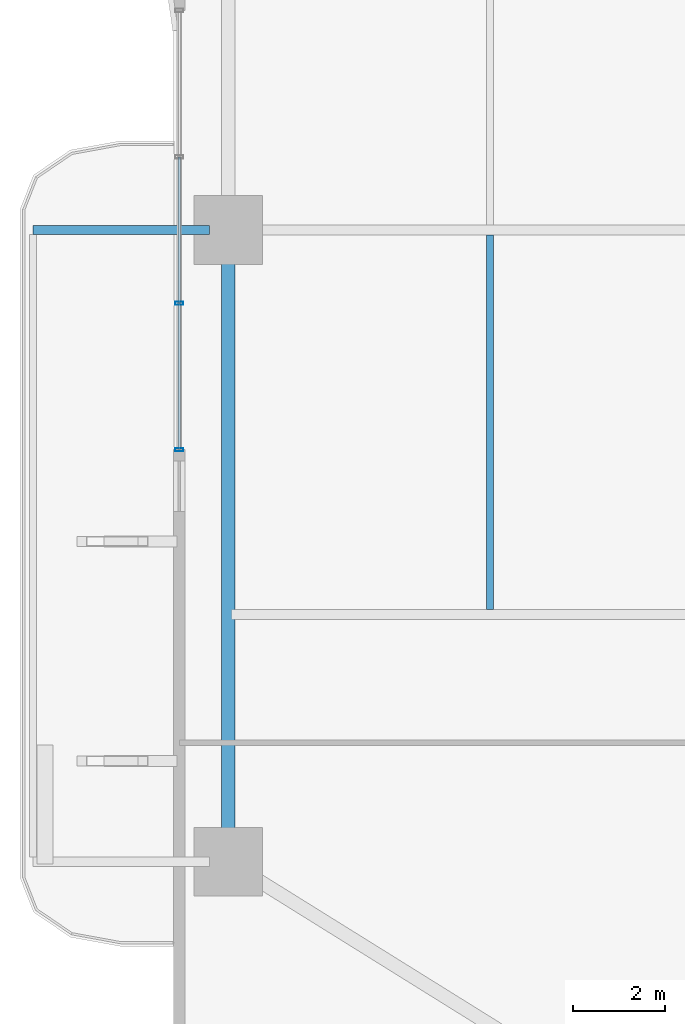
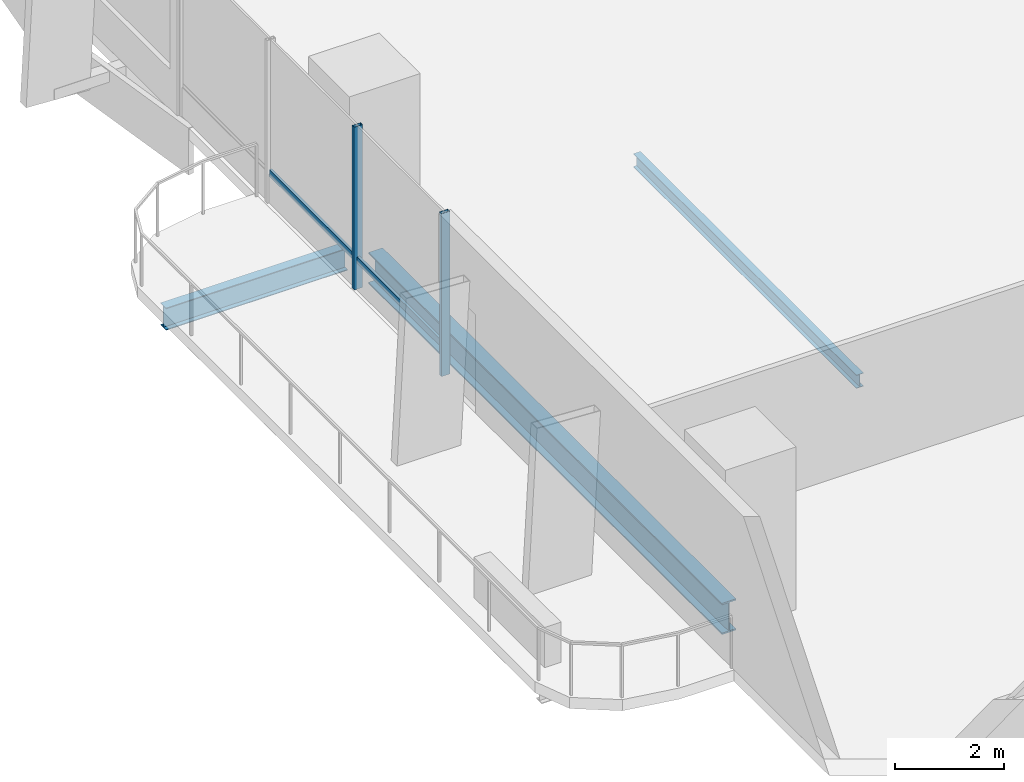
# One storey, part 4 of 24: 4 members, 3 beams, 1 element without a shape of its own.
"""IFC4 building model written with IfcOpenShell, lengths in metres."""

from ifc_helpers import new_model, si_unit, direction, frame, origin, origin_2d, place, context, subcontext, project, spatial, hollow_rectangle, i_section, extrude, material, layer, layer_set, material_profile, profile_set, type_object, element, aggregate, save


model = new_model("IFC4")

# Units and contexts
model_context = context("Model", 3, precision=1e-05, world=origin(), true_north=direction((0.0, 1.0)))
body_context = subcontext(model_context, "Body", "Model", "MODEL_VIEW")
ifc_project = project(units=[si_unit("LENGTHUNIT", "METRE"), si_unit("AREAUNIT", "SQUARE_METRE"), si_unit("VOLUMEUNIT", "CUBIC_METRE"), si_unit("PLANEANGLEUNIT", "RADIAN"), si_unit("MASSUNIT", "GRAM", prefix="KILO")], contexts=[model_context])

# Site, building, storey
site_placement = place(None, origin())
site = spatial("IfcSite", under=ifc_project, at=site_placement, CompositionType="ELEMENT")
building_placement = place(site_placement, origin())
building = spatial("IfcBuilding", under=site, at=building_placement, Name="Belovzor Exchange Tower", CompositionType="ELEMENT")
storey_placement = place(building_placement, frame((0.0, 0.0, 69.0)))
storey = spatial("IfcBuildingStorey", under=building, at=storey_placement, Name="L16", CompositionType="ELEMENT", Elevation=69.0)

# Beams
ifc_material_1 = material(Name="Steel S355", Category="steel")
ifc_material_profile_1 = material_profile(ifc_material_1, i_section(OverallWidth=0.199951171875, OverallDepth=0.5, WebThickness=0.01025390625, FlangeThickness=0.01611328125, at=origin_2d()))
ifc_profile_set_1 = profile_set([ifc_material_profile_1], Name="Steel S355")
beam_type_1 = type_object("IfcBeamType", Name="Planted Balcony Cantilever Beam IPE 500", PredefinedType="BEAM", material=ifc_profile_set_1)
beam_1_placement = place(storey_placement, frame((1.68798828125, 28.800048828125, -0.5), z_axis=(-1.0, 0.0, 0.0), x_axis=(0.0, -1.0, 0.0)))
element("IfcBeam", 1, at=beam_1_placement, inside=storey, type_object=beam_type_1, Name="BC-500 Planted Balcony Cantilever Beam IPE 500", PredefinedType="BEAM", context=body_context, shape_type="SweptSolid", body=[
    extrude(i_section(OverallWidth=0.199951171875, OverallDepth=0.5, WebThickness=0.01025390625, FlangeThickness=0.01611328125, at=origin_2d()), origin(), (0.0, 0.0, 1.0), 3.85009765625),
])
ifc_material_2 = material(Name="Steel S355", Category="steel")
ifc_material_profile_2 = material_profile(ifc_material_2, i_section(OverallWidth=0.14990234375, OverallDepth=0.300048828125, WebThickness=0.007080078125, FlangeThickness=0.0107421875, at=origin_2d()))
ifc_profile_set_2 = profile_set([ifc_material_profile_2], Name="Steel S355")
beam_type_2 = type_object("IfcBeamType", Name="Secondary Trim Floor Joist IPE 300", PredefinedType="BEAM", material=ifc_profile_set_2)
beam_2_placement = place(storey_placement, frame((7.81494140625, 20.5048828125, -0.39990234375), z_axis=(0.0, 1.0, 0.0), x_axis=(-1.0, 0.0, 0.0)))
element("IfcBeam", 2, at=beam_2_placement, inside=storey, type_object=beam_type_2, Name="FJ-300 Secondary Trim Floor Joist IPE 300", PredefinedType="BEAM", context=body_context, shape_type="SweptSolid", body=[
    extrude(i_section(OverallWidth=0.14990234375, OverallDepth=0.300048828125, WebThickness=0.007080078125, FlangeThickness=0.0107421875, at=origin_2d()), origin(), (0.0, 0.0, 1.0), 8.190185546875),
])

# Curtain wall, members
ifc_material_3 = material(Name="Anodised Aluminium Framing", Category="aluminium")
ifc_layer = layer(ifc_material_3, 0.179931640625)
ifc_layer_set = layer_set([ifc_layer], Name="Anodised Aluminium Framing")
curtain_wall_type = type_object("IfcCurtainWallType", Name="Recessed Loggia Low-Iron Triple-Glazed Curtain Wall", PredefinedType="NOTDEFINED", material=ifc_layer_set)
curtain_wall_placement = place(storey_placement, origin())
curtain_wall = element("IfcCurtainWall", 3, at=curtain_wall_placement, inside=storey, type_object=curtain_wall_type, Name="CW3 Recessed Loggia Low-Iron Triple-Glazed Curtain Wall L16", PredefinedType="NOTDEFINED")
ifc_material_4 = material(Name="Steel S355", Category="steel")
ifc_material_profile_3 = material_profile(ifc_material_4, hollow_rectangle(XDim=0.074951171875, YDim=0.179931640625, WallThickness=0.0048828125, at=origin_2d()))
ifc_profile_set_3 = profile_set([ifc_material_profile_3], Name="Steel S355")
member_type_1 = type_object("IfcMemberType", Name="Thermally Broken Curtain Wall Mullion 180x75", PredefinedType="MULLION", material=ifc_profile_set_3)
member_1_placement = place(storey_placement, frame((1.030029296875, 24.0, 0.0), z_axis=(0.0, 0.0, 1.0), x_axis=(0.0, 1.0, 0.0)))
member_1 = element("IfcMember", 4, at=member_1_placement, type_object=member_type_1, Name="CW-M180 Curtain Wall Mullion 1", PredefinedType="MULLION", context=body_context, shape_type="SweptSolid", body=[
    extrude(hollow_rectangle(XDim=0.074951171875, YDim=0.179931640625, WallThickness=0.0048828125, at=origin_2d()), origin(), (0.0, 0.0, 1.0), 3.64990234375),
])
member_2_placement = place(storey_placement, frame((1.030029296875, 27.199951171875, 0.0), z_axis=(0.0, 0.0, 1.0), x_axis=(0.0, 1.0, 0.0)))
member_2 = element("IfcMember", 5, at=member_2_placement, type_object=member_type_1, Name="CW-M180 Curtain Wall Mullion 2", PredefinedType="MULLION", context=body_context, shape_type="SweptSolid", body=[
    extrude(hollow_rectangle(XDim=0.074951171875, YDim=0.179931640625, WallThickness=0.0048828125, at=origin_2d()), origin(), (0.0, 0.0, 1.0), 3.64990234375),
])
ifc_material_5 = material(Name="Steel S355", Category="steel")
ifc_material_profile_4 = material_profile(ifc_material_5, hollow_rectangle(XDim=0.06005859375, YDim=0.14990234375, WallThickness=0.00390625, at=origin_2d()))
ifc_profile_set_4 = profile_set([ifc_material_profile_4], Name="Steel S355")
member_type_2 = type_object("IfcMemberType", Name="Thermally Broken Curtain Wall Transom 150x60", PredefinedType="USERDEFINED", material=ifc_profile_set_4)
member_3_placement = place(storey_placement, frame((1.030029296875, 24.008056640625, 0.64990234375), z_axis=(0.0, 1.0, 0.0), x_axis=(-1.0, 0.0, 0.0)))
member_3 = element("IfcMember", 6, at=member_3_placement, type_object=member_type_2, Name="CW-T150 Curtain Wall Transom 1", ObjectType="TRANSOM", PredefinedType="USERDEFINED", context=body_context, shape_type="SweptSolid", body=[
    extrude(hollow_rectangle(XDim=0.06005859375, YDim=0.14990234375, WallThickness=0.00390625, at=origin_2d()), origin(), (0.0, 0.0, 1.0), 3.183837890625),
])
member_4_placement = place(storey_placement, frame((1.030029296875, 27.2080078125, 0.64990234375), z_axis=(0.0, 1.0, 0.0), x_axis=(-1.0, 0.0, 0.0)))
member_4 = element("IfcMember", 7, at=member_4_placement, type_object=member_type_2, Name="CW-T150 Curtain Wall Transom 2", ObjectType="TRANSOM", PredefinedType="USERDEFINED", context=body_context, shape_type="SweptSolid", body=[
    extrude(hollow_rectangle(XDim=0.06005859375, YDim=0.14990234375, WallThickness=0.00390625, at=origin_2d()), origin(), (0.0, 0.0, 1.0), 3.18408203125),
])
aggregate(curtain_wall, [member_1, member_2, member_3, member_4])

# Beam
ifc_material_6 = material(Name="Steel S355", Category="steel")
ifc_material_profile_5 = material_profile(ifc_material_6, i_section(OverallWidth=0.300048828125, OverallDepth=0.699951171875, WebThickness=0.01708984375, FlangeThickness=0.031982421875, at=origin_2d()))
ifc_profile_set_5 = profile_set([ifc_material_profile_5], Name="Steel S355")
beam_type_3 = type_object("IfcBeamType", Name="Zone 1 Primary Perimeter Girder HEB 700", PredefinedType="BEAM", material=ifc_profile_set_5)
beam_3_placement = place(storey_placement, frame((2.10009765625, 28.386962890625, -0.60009765625), z_axis=(0.0, -1.0, 0.0), x_axis=(1.0, 0.0, 0.0)))
element("IfcBeam", 8, at=beam_3_placement, inside=storey, type_object=beam_type_3, Name="FG-Z1 Zone 1 Primary Perimeter Girder HEB 700", PredefinedType="BEAM", context=body_context, shape_type="SweptSolid", body=[
    extrude(i_section(OverallWidth=0.300048828125, OverallDepth=0.699951171875, WebThickness=0.01708984375, FlangeThickness=0.031982421875, at=origin_2d()), origin(), (0.0, 0.0, 1.0), 12.974853515625),
])

save(model, "model.ifc")
